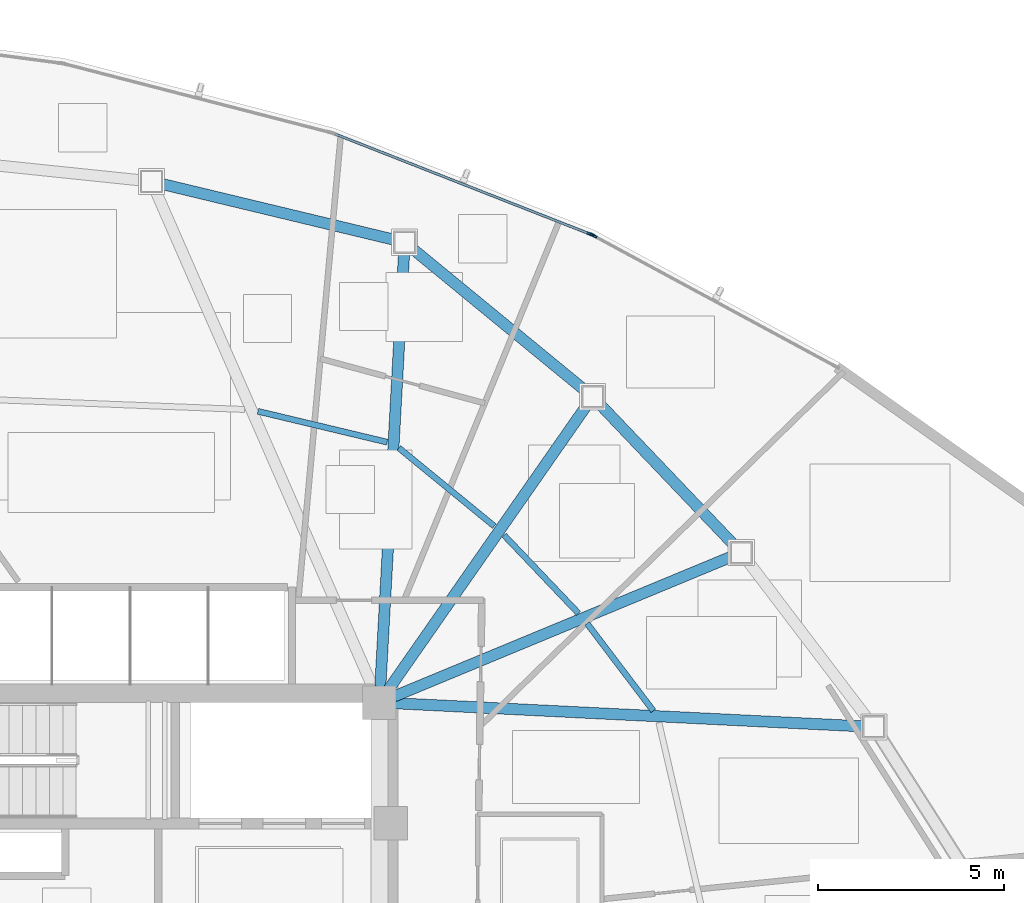
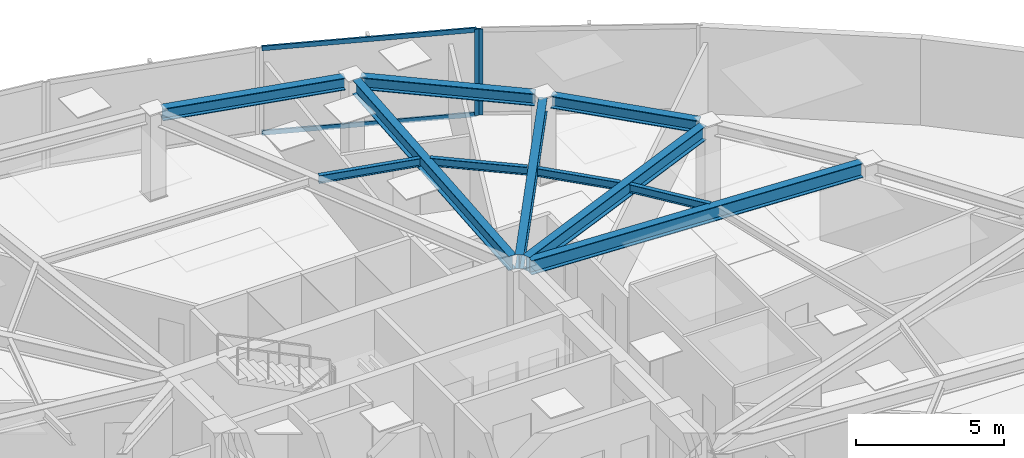
# One storey, part 8 of 18: 11 beams, 4 members, 2 elements without a shape of their own.
"""IFC4 building model written with IfcOpenShell, lengths in metres."""

from ifc_helpers import new_model, si_unit, direction, frame, origin, origin_2d, place, context, subcontext, project, spatial, hollow_rectangle, i_section, extrude, source, transform, mapped, material, layer, layer_set, material_profile, profile_set, type_object, type_shapes, element, aggregate, save


model = new_model("IFC4")

# Units and contexts
model_context = context("Model", 3, precision=1e-05, world=origin(), true_north=direction((0.0, 1.0)))
body_context = subcontext(model_context, "Body", "Model", "MODEL_VIEW")
ifc_project = project(units=[si_unit("LENGTHUNIT", "METRE"), si_unit("AREAUNIT", "SQUARE_METRE"), si_unit("VOLUMEUNIT", "CUBIC_METRE"), si_unit("PLANEANGLEUNIT", "RADIAN"), si_unit("MASSUNIT", "GRAM", prefix="KILO")], contexts=[model_context])

# Site, building, storey
site_placement = place(None, origin())
site = spatial("IfcSite", under=ifc_project, at=site_placement, CompositionType="ELEMENT")
building_placement = place(site_placement, origin())
building = spatial("IfcBuilding", under=site, at=building_placement, Name="Tavelor Broadcast Tower", CompositionType="ELEMENT")
storey_placement = place(building_placement, frame((0.0, 0.0, 181.050048828125)))
storey = spatial("IfcBuildingStorey", under=building, at=storey_placement, Name="L43", CompositionType="ELEMENT", Elevation=181.050048828125)

# Beams
ifc_material_1 = material(Name="Steel S355", Category="steel")
ifc_material_profile_1 = material_profile(ifc_material_1, i_section(OverallWidth=0.159912109375, OverallDepth=0.330078125, WebThickness=0.007568359375, FlangeThickness=0.011474609375, at=origin_2d()), Name="IPE 330")
ifc_profile_set_1 = profile_set([ifc_material_profile_1], Name="Steel S355")
beam_type_1 = type_object("IfcBeamType", Name="Composite Floor Joist T4 IPE 330", PredefinedType="JOIST", material=ifc_profile_set_1)
beam_1_placement = place(storey_placement, frame((63.959716796875, 50.9755859375, 3.385009765625), z_axis=(-0.604116162247, 0.796896268351, 0.0), x_axis=(-0.796896268351, -0.604116162247, 0.0)))
element("IfcBeam", 1, at=beam_1_placement, inside=storey, type_object=beam_type_1, Name="L43 Secondary Composite Floor Joist 14", PredefinedType="JOIST", context=body_context, shape_type="SweptSolid", body=[
    extrude(i_section(OverallWidth=0.159912109375, OverallDepth=0.330078125, WebThickness=0.007568359375, FlangeThickness=0.011474609375, at=origin_2d()), origin(), (0.0, 0.0, 1.0), 2.94580078125),
])
beam_2_placement = place(storey_placement, frame((61.946044921875, 53.59814453125, 3.385009765625), z_axis=(-0.689642531817, 0.724149969487, 0.0), x_axis=(-0.724149969487, -0.689642531817, 0.0)))
element("IfcBeam", 2, at=beam_2_placement, inside=storey, type_object=beam_type_1, Name="L43 Secondary Composite Floor Joist 15", PredefinedType="JOIST", context=body_context, shape_type="SweptSolid", body=[
    extrude(i_section(OverallWidth=0.159912109375, OverallDepth=0.330078125, WebThickness=0.007568359375, FlangeThickness=0.011474609375, at=origin_2d()), origin(), (0.0, 0.0, 1.0), 2.893798828125),
])
beam_3_placement = place(storey_placement, frame((59.685791015625, 55.939453125, 3.385009765625), z_axis=(-0.773655391446, 0.633606609251, 0.0), x_axis=(-0.633606609251, -0.773655391446, 0.0)))
element("IfcBeam", 3, at=beam_3_placement, inside=storey, type_object=beam_type_1, Name="L43 Secondary Composite Floor Joist 16", PredefinedType="JOIST", context=body_context, shape_type="SweptSolid", body=[
    extrude(i_section(OverallWidth=0.159912109375, OverallDepth=0.330078125, WebThickness=0.007568359375, FlangeThickness=0.011474609375, at=origin_2d()), origin(), (0.0, 0.0, 1.0), 3.315673828125),
])
beam_4_placement = place(storey_placement, frame((56.804443359375, 58.197021484375, 3.385009765625), z_axis=(-0.972674676245, 0.232172294196, 0.0), x_axis=(-0.232172294196, -0.972674676245, 0.0)))
element("IfcBeam", 4, at=beam_4_placement, inside=storey, type_object=beam_type_1, Name="L43 Secondary Composite Floor Joist 17", PredefinedType="JOIST", context=body_context, shape_type="SweptSolid", body=[
    extrude(i_section(OverallWidth=0.159912109375, OverallDepth=0.330078125, WebThickness=0.007568359375, FlangeThickness=0.011474609375, at=origin_2d()), origin(), (0.0, 0.0, 1.0), 3.56884765625),
])
ifc_material_profile_2 = material_profile(ifc_material_1, i_section(OverallWidth=0.300048828125, OverallDepth=0.5, WebThickness=0.014404296875, FlangeThickness=0.028076171875, at=origin_2d()), Name="HEB 500")
ifc_profile_set_2 = profile_set([ifc_material_profile_2], Name="Steel S355")
beam_type_2 = type_object("IfcBeamType", Name="Perimeter Spandrel Beam T4 HEB 500", PredefinedType="SPANDREL", material=ifc_profile_set_2)
beam_5_placement = place(storey_placement, frame((66.123291015625, 55.437255859375, 3.300048828125), z_axis=(-0.689936010055, 0.723870362723, 0.0), x_axis=(-0.723870362723, -0.689936010055, 0.0)))
element("IfcBeam", 5, at=beam_5_placement, inside=storey, type_object=beam_type_2, Name="L43 Framed-Tube Ring Spandrel 15", PredefinedType="SPANDREL", context=body_context, shape_type="SweptSolid", body=[
    extrude(i_section(OverallWidth=0.300048828125, OverallDepth=0.5, WebThickness=0.014404296875, FlangeThickness=0.028076171875, at=origin_2d()), origin(), (0.0, 0.0, 1.0), 5.208740234375),
])
beam_6_placement = place(storey_placement, frame((62.1083984375, 59.59912109375, 3.300048828125), z_axis=(-0.772717651191, 0.634749896839, 0.0), x_axis=(-0.634749896839, -0.772717651191, 0.0)))
element("IfcBeam", 6, at=beam_6_placement, inside=storey, type_object=beam_type_2, Name="L43 Framed-Tube Ring Spandrel 16", PredefinedType="SPANDREL", context=body_context, shape_type="SweptSolid", body=[
    extrude(i_section(OverallWidth=0.300048828125, OverallDepth=0.5, WebThickness=0.014404296875, FlangeThickness=0.028076171875, at=origin_2d()), origin(), (0.0, 0.0, 1.0), 5.965087890625),
])
beam_7_placement = place(storey_placement, frame((56.99658203125, 63.635498046875, 3.300048828125), z_axis=(-0.972354853411, 0.233508113452, 0.0), x_axis=(-0.233508113452, -0.972354853411, 0.0)))
element("IfcBeam", 7, at=beam_7_placement, inside=storey, type_object=beam_type_2, Name="L43 Framed-Tube Ring Spandrel 17", PredefinedType="SPANDREL", context=body_context, shape_type="SweptSolid", body=[
    extrude(i_section(OverallWidth=0.300048828125, OverallDepth=0.5, WebThickness=0.014404296875, FlangeThickness=0.028076171875, at=origin_2d()), origin(), (0.0, 0.0, 1.0), 6.421630859375),
])
ifc_material_profile_3 = material_profile(ifc_material_1, i_section(OverallWidth=0.300048828125, OverallDepth=0.590087890625, WebThickness=0.012939453125, FlangeThickness=0.02490234375, at=origin_2d()), Name="HEA 600")
ifc_profile_set_3 = profile_set([ifc_material_profile_3], Name="Steel S355")
beam_type_3 = type_object("IfcBeamType", Name="Radial Floor Girder T4 HEA 600", PredefinedType="BEAM", material=ifc_profile_set_3)
beam_8_placement = place(storey_placement, frame((57.031494140625, 51.1787109375, 3.2548828125), z_axis=(0.998783784198, -0.049304689662, 0.0), x_axis=(0.049304689662, 0.998783784198, 0.0)))
element("IfcBeam", 8, at=beam_8_placement, inside=storey, type_object=beam_type_3, Name="L43 Radial Primary Floor Girder 14", PredefinedType="BEAM", context=body_context, shape_type="SweptSolid", body=[
    extrude(i_section(OverallWidth=0.300048828125, OverallDepth=0.590087890625, WebThickness=0.012939453125, FlangeThickness=0.02490234375, at=origin_2d()), origin(), (0.0, 0.0, 1.0), 12.582275390625),
])
beam_9_placement = place(storey_placement, frame((56.9990234375, 51.365478515625, 3.2548828125), z_axis=(0.923827405628, 0.38280925356, 0.0), x_axis=(-0.38280925356, 0.923827405628, 0.0)))
element("IfcBeam", 9, at=beam_9_placement, inside=storey, type_object=beam_type_3, Name="L43 Radial Primary Floor Girder 15", PredefinedType="BEAM", context=body_context, shape_type="SweptSolid", body=[
    extrude(i_section(OverallWidth=0.300048828125, OverallDepth=0.590087890625, WebThickness=0.012939453125, FlangeThickness=0.02490234375, at=origin_2d()), origin(), (0.0, 0.0, 1.0), 9.8037109375),
])
beam_10_placement = place(storey_placement, frame((56.84716796875, 51.55419921875, 3.2548828125), z_axis=(0.572078083908, 0.820199162346, 0.0), x_axis=(-0.820199162346, 0.572078083908, 0.0)))
element("IfcBeam", 10, at=beam_10_placement, inside=storey, type_object=beam_type_3, Name="L43 Radial Primary Floor Girder 16", PredefinedType="BEAM", context=body_context, shape_type="SweptSolid", body=[
    extrude(i_section(OverallWidth=0.300048828125, OverallDepth=0.590087890625, WebThickness=0.012939453125, FlangeThickness=0.02490234375, at=origin_2d()), origin(), (0.0, 0.0, 1.0), 9.29736328125),
])
beam_11_placement = place(storey_placement, frame((56.62353515625, 51.63134765625, 3.2548828125), z_axis=(0.054637852805, 0.998506236856, 0.0), x_axis=(-0.998506236856, 0.054637852805, 0.0)))
element("IfcBeam", 11, at=beam_11_placement, inside=storey, type_object=beam_type_3, Name="L43 Radial Primary Floor Girder 17", PredefinedType="BEAM", context=body_context, shape_type="SweptSolid", body=[
    extrude(i_section(OverallWidth=0.300048828125, OverallDepth=0.590087890625, WebThickness=0.012939453125, FlangeThickness=0.02490234375, at=origin_2d()), origin(), (0.0, 0.0, 1.0), 11.666748046875),
])

# Curtain wall, member
ifc_material_2 = material(Name="Architectural Anodized Aluminium", Category="aluminium")
ifc_layer = layer(ifc_material_2, 0.18994140625)
ifc_layer_set = layer_set([ifc_layer], Name="Architectural Anodized Aluminium")
curtain_wall_type = type_object("IfcCurtainWallType", Name="Tower Mid-Zone Acoustic Curtain Wall CW03", PredefinedType="NOTDEFINED", material=ifc_layer_set)
curtain_wall_1_placement = place(storey_placement, origin())
curtain_wall_1 = element("IfcCurtainWall", 12, at=curtain_wall_1_placement, inside=storey, type_object=curtain_wall_type, Name="L43 Curtain Wall CW03 Run 465", PredefinedType="NOTDEFINED")
ifc_material_profile_4 = material_profile(ifc_material_2, hollow_rectangle(XDim=0.068115234375, YDim=0.18994140625, WallThickness=0.02197265625, at=origin_2d()), Name="RHS 68x190x22")
ifc_profile_set_4 = profile_set([ifc_material_profile_4], Name="Architectural Anodized Aluminium")
member_type_1 = type_object("IfcMemberType", Name="CW03 Extruded Aluminium Mullion 68x190", PredefinedType="MULLION", material=ifc_profile_set_4)
shared_shape_1 = source(origin(), body_context, "Body", "SweptSolid", [
    extrude(hollow_rectangle(XDim=0.068115234375, YDim=0.18994140625, WallThickness=0.02197265625, at=origin_2d()), origin(), (0.0, 0.0, 1.0), 3.550048828125),
])
type_shapes(member_type_1, [shared_shape_1])
member_1_placement = place(storey_placement, frame((62.35498046875, 63.744873046875, 0.0), z_axis=(0.0, 0.0, 1.0), x_axis=(-0.475238225451, -0.879857164016, 0.0)))
member_1 = element("IfcMember", 13, at=member_1_placement, type_object=member_type_1, Name="CW03 mullion 2", PredefinedType="MULLION", context=body_context, shape_type="MappedRepresentation", body=[
    mapped(shared_shape_1, transform((0.0, 0.0, 0.0), scale=1.0)),
])
aggregate(curtain_wall_1, [member_1])

# Curtain wall, members
curtain_wall_2_placement = place(storey_placement, origin())
curtain_wall_2 = element("IfcCurtainWall", 14, at=curtain_wall_2_placement, inside=storey, type_object=curtain_wall_type, Name="L43 Curtain Wall CW03 Run 466", PredefinedType="NOTDEFINED")
member_2_placement = place(storey_placement, frame((62.266357421875, 63.7861328125, 0.0), z_axis=(0.0, 0.0, 1.0), x_axis=(-0.365276888291, -0.930898917649, 0.0)))
member_2 = element("IfcMember", 15, at=member_2_placement, type_object=member_type_1, Name="CW03 mullion 1", PredefinedType="MULLION", context=body_context, shape_type="MappedRepresentation", body=[
    mapped(shared_shape_1, transform((0.0, 0.0, 0.0), scale=1.0)),
])
ifc_material_profile_5 = material_profile(ifc_material_2, hollow_rectangle(XDim=0.068115234375, YDim=0.18994140625, WallThickness=0.02197265625, at=origin_2d()), Name="RHS 68x190x22")
ifc_profile_set_5 = profile_set([ifc_material_profile_5], Name="Architectural Anodized Aluminium")
member_type_2 = type_object("IfcMemberType", Name="CW03 Extruded Aluminium Transom 68x190", PredefinedType="USERDEFINED", material=ifc_profile_set_5)
shared_shape_2 = source(origin(), body_context, "Body", "SweptSolid", [
    extrude(hollow_rectangle(XDim=0.068115234375, YDim=0.18994140625, WallThickness=0.02197265625, at=origin_2d()), origin(), (0.0, 0.0, 1.0), 7.321533203125),
])
type_shapes(member_type_2, [shared_shape_2])
member_3_placement = place(storey_placement, frame((62.234619140625, 63.798583984375, 0.033935546875), z_axis=(-0.930903401715, 0.365265460557, 0.0), x_axis=(-0.365265460557, -0.930903401715, 0.0)))
member_3 = element("IfcMember", 16, at=member_3_placement, type_object=member_type_2, Name="CW03 transom 1.1", ObjectType="TRANSOM", PredefinedType="USERDEFINED", context=body_context, shape_type="MappedRepresentation", body=[
    mapped(shared_shape_2, transform((0.0, 0.0, 0.0), scale=1.0)),
])
member_4_placement = place(storey_placement, frame((62.234619140625, 63.798583984375, 3.515869140625), z_axis=(-0.930903401715, 0.365265460557, 0.0), x_axis=(-0.365265460557, -0.930903401715, 0.0)))
member_4 = element("IfcMember", 17, at=member_4_placement, type_object=member_type_2, Name="CW03 transom 1.2", ObjectType="TRANSOM", PredefinedType="USERDEFINED", context=body_context, shape_type="MappedRepresentation", body=[
    mapped(shared_shape_2, transform((0.0, 0.0, 0.0), scale=1.0)),
])
aggregate(curtain_wall_2, [member_2, member_3, member_4])

save(model, "model.ifc")
